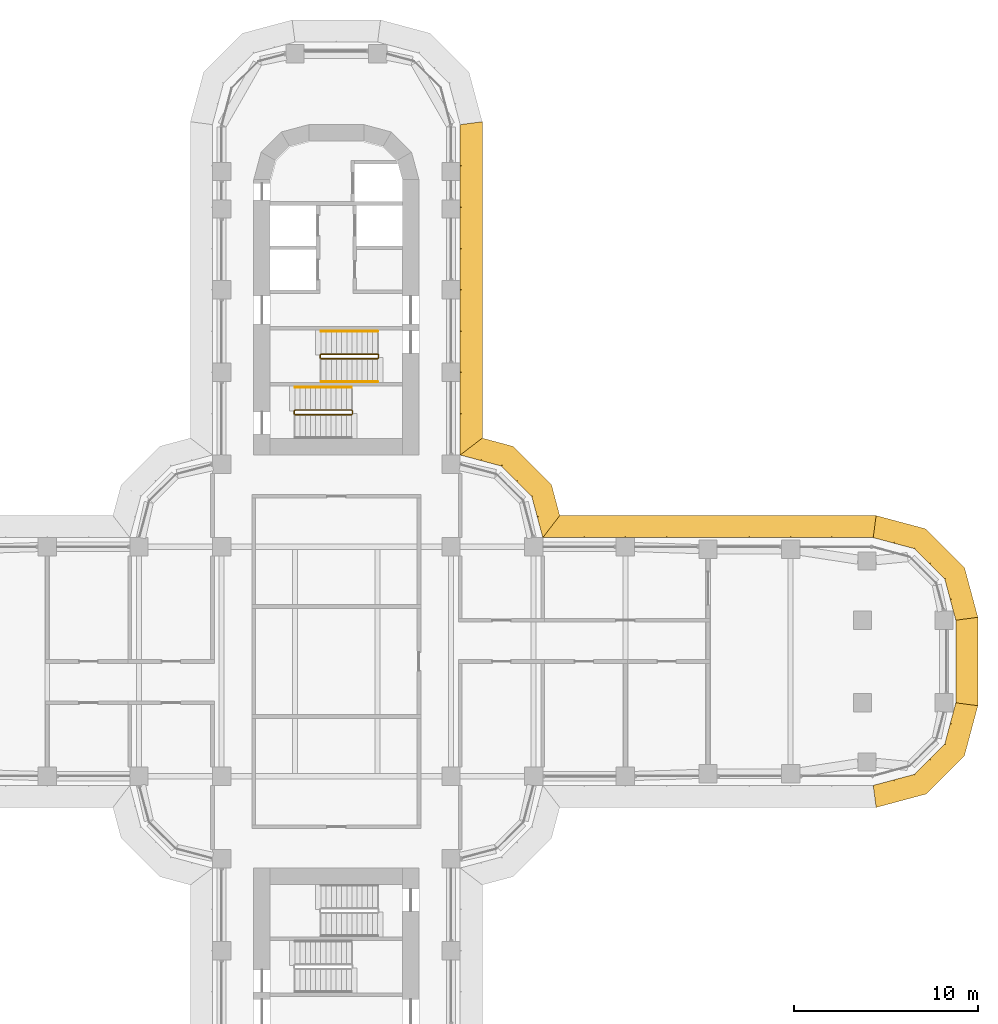
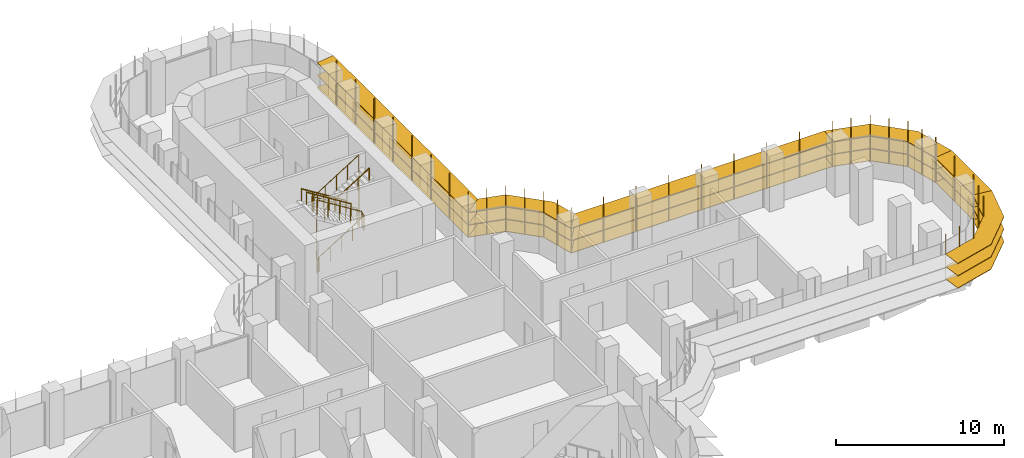
# One storey, part 22 of 23: 6 shading devices, 5 railings.
"""IFC4 building model written with IfcOpenShell, lengths in metres."""

from ifc_helpers import new_model, si_unit, direction, frame, origin, origin_2d, place, context, subcontext, project, spatial, polyline, circle, outline, extrude, faceted_brep, source, transform, mapped, material, type_object, element, save


model = new_model("IFC4")

# Units and contexts
model_context = context("Model", 3, precision=1e-05, world=origin(), true_north=direction((0.0, 1.0)))
body_context = subcontext(model_context, "Body", "Model", "MODEL_VIEW")
ifc_project = project(units=[si_unit("LENGTHUNIT", "METRE"), si_unit("AREAUNIT", "SQUARE_METRE"), si_unit("VOLUMEUNIT", "CUBIC_METRE"), si_unit("PLANEANGLEUNIT", "RADIAN"), si_unit("MASSUNIT", "GRAM", prefix="KILO")], contexts=[model_context])

# Site, building, storey
site_placement = place(None, origin())
site = spatial("IfcSite", under=ifc_project, at=site_placement, CompositionType="ELEMENT")
building_placement = place(site_placement, origin())
building = spatial("IfcBuilding", under=site, at=building_placement, Name="Zarbagh Exchange Tower", CompositionType="ELEMENT")
storey_placement = place(building_placement, frame((0.0, 0.0, 39.60009765625)))
storey = spatial("IfcBuildingStorey", under=building, at=storey_placement, Name="L08", CompositionType="ELEMENT", Elevation=39.60009765625)

# Railings
ifc_material_1 = material(Name="Stainless steel", Category="steel")
railing_type_1 = type_object("IfcRailingType", Name="Stair guard 1100 mm", PredefinedType="GUARDRAIL", material=ifc_material_1)
railing_1_placement = place(storey_placement, frame((-0.830078125, 16.5, 2.27490234375)))
element("IfcRailing", 1, at=railing_1_placement, inside=storey, type_object=railing_type_1, Name="ST1 stair guard 1", PredefinedType="GUARDRAIL", context=body_context, shape_type="SweptSolid", body=[
    extrude(circle(Radius=0.02392578125, at=origin_2d()), frame((0.0, 0.0, 1.076171875), z_axis=(0.847998304005, 0.0, 0.529998940003), x_axis=(0.0, 1.0, 0.0)), (0.0, 0.0, 1.0), 3.632080078125),
    extrude(circle(Radius=0.02392578125, at=origin_2d()), frame((3.080078125, 0.0, 3.0009765625), z_axis=(0.011914834358, 0.011914834358, -0.999858026644), x_axis=(-0.707106781187, 0.707106781187, 0.0)), (0.0, 0.0, 1.0), 4.200439453125),
    extrude(circle(Radius=0.02392578125, at=origin_2d()), frame((3.130126953125, 0.050048828125, -1.19873046875), z_axis=(0.0, 1.0, 0.0), x_axis=(-1.0, 0.0, 0.0)), (0.0, 0.0, 1.0), 0.14990234375),
    extrude(circle(Radius=0.02392578125, at=origin_2d()), frame((3.130126953125, 0.199951171875, -1.19873046875), z_axis=(-0.265383341853, 0.265383341853, 0.926899867156), x_axis=(-0.707106781187, -0.707106781187, 0.0)), (0.0, 0.0, 1.0), 0.1884765625),
    extrude(circle(Radius=0.02392578125, at=origin_2d()), frame((3.080078125, 0.25, -1.02392578125), z_axis=(-0.847998304005, 0.0, 0.529998940003), x_axis=(0.0, -1.0, 0.0)), (0.0, 0.0, 1.0), 3.632080078125),
    extrude(circle(Radius=0.02392578125, at=origin_2d()), frame((0.0, 0.25, 0.90087890625), z_axis=(-0.705375805398, -0.708833529934, 0.0), x_axis=(0.708833529934, -0.705375805398, 0.0)), (0.0, 0.0, 1.0), 0.070556640625),
    extrude(circle(Radius=0.02392578125, at=origin_2d()), frame((-0.0498046875, 0.199951171875, 0.90087890625), z_axis=(0.0, -1.0, 0.0), x_axis=(1.0, 0.0, 0.0)), (0.0, 0.0, 1.0), 0.14990234375),
    extrude(circle(Radius=0.02099609375, at=origin_2d()), origin(), (0.0, 0.0, 1.0), 1.052001953125),
    extrude(circle(Radius=0.02099609375, at=origin_2d()), frame((0.77001953125, 0.0, 0.481201171875)), (0.0, 0.0, 1.0), 1.052001953125),
    extrude(circle(Radius=0.02099609375, at=origin_2d()), frame((1.5400390625, 0.0, 0.96240234375)), (0.0, 0.0, 1.0), 1.052001953125),
    extrude(circle(Radius=0.02099609375, at=origin_2d()), frame((2.31005859375, 0.0, 1.44384765625)), (0.0, 0.0, 1.0), 1.052001953125),
    extrude(circle(Radius=0.02099609375, at=origin_2d()), frame((3.080078125, 0.0, 1.925048828125)), (0.0, 0.0, 1.0), 1.052001953125),
    extrude(circle(Radius=0.02099609375, at=origin_2d()), frame((3.092529296875, 0.012451171875, 0.875)), (0.0, 0.0, 1.0), 1.052001953125),
    extrude(circle(Radius=0.02099609375, at=origin_2d()), frame((3.10498046875, 0.02490234375, -0.1748046875)), (0.0, 0.0, 1.0), 1.052001953125),
    extrude(circle(Radius=0.02099609375, at=origin_2d()), frame((3.11767578125, 0.03759765625, -1.224853515625)), (0.0, 0.0, 1.0), 1.052001953125),
    extrude(circle(Radius=0.02099609375, at=origin_2d()), frame((3.130126953125, 0.050048828125, -2.27490234375)), (0.0, 0.0, 1.0), 1.052001953125),
    extrude(circle(Radius=0.02099609375, at=origin_2d()), frame((3.130126953125, 0.199951171875, -2.27490234375)), (0.0, 0.0, 1.0), 1.052001953125),
    extrude(circle(Radius=0.02099609375, at=origin_2d()), frame((3.080078125, 0.25, -2.10009765625)), (0.0, 0.0, 1.0), 1.052001953125),
    extrude(circle(Radius=0.02099609375, at=origin_2d()), frame((2.31005859375, 0.25, -1.618896484375)), (0.0, 0.0, 1.0), 1.052001953125),
    extrude(circle(Radius=0.02099609375, at=origin_2d()), frame((1.5400390625, 0.25, -1.1376953125)), (0.0, 0.0, 1.0), 1.052001953125),
    extrude(circle(Radius=0.02099609375, at=origin_2d()), frame((0.77001953125, 0.25, -0.65625)), (0.0, 0.0, 1.0), 1.052001953125),
    extrude(circle(Radius=0.02099609375, at=origin_2d()), frame((0.0, 0.25, -0.175048828125)), (0.0, 0.0, 1.0), 1.052001953125),
    extrude(circle(Radius=0.02099609375, at=origin_2d()), frame((-0.0498046875, 0.199951171875, -0.175048828125)), (0.0, 0.0, 1.0), 1.052001953125),
    extrude(circle(Radius=0.02099609375, at=origin_2d()), frame((-0.0498046875, 0.050048828125, -0.175048828125)), (0.0, 0.0, 1.0), 1.052001953125),
])
railing_2_placement = place(storey_placement, frame((0.8798828125, 13.5, 2.099853515625)))
element("IfcRailing", 2, at=railing_2_placement, inside=storey, type_object=railing_type_1, Name="ST2 stair guard 1", PredefinedType="GUARDRAIL", context=body_context, shape_type="SweptSolid", body=[
    extrude(circle(Radius=0.02392578125, at=origin_2d()), frame((0.0, 0.0, 1.076171875), z_axis=(0.0, 1.0, 0.0), x_axis=(-1.0, 0.0, 0.0)), (0.0, 0.0, 1.0), 0.14990234375),
    extrude(circle(Radius=0.02392578125, at=origin_2d()), frame((0.0, 0.14990234375, 1.076171875), z_axis=(-0.263862480399, 0.265155923931, 0.927399011991), x_axis=(-0.708833529934, -0.705375805398, 0.0)), (0.0, 0.0, 1.0), 0.188720703125),
    extrude(circle(Radius=0.02392578125, at=origin_2d()), frame((-0.0498046875, 0.199951171875, 1.2509765625), z_axis=(-0.847998304005, 0.0, 0.529998940003), x_axis=(0.0, -1.0, 0.0)), (0.0, 0.0, 1.0), 3.632080078125),
    extrude(circle(Radius=0.02392578125, at=origin_2d()), frame((-3.1298828125, 0.199951171875, 3.17626953125), z_axis=(-0.011914834358, -0.011914834358, -0.999858026644), x_axis=(0.707106781187, -0.707106781187, 0.0)), (0.0, 0.0, 1.0), 4.200439453125),
    extrude(circle(Radius=0.02392578125, at=origin_2d()), frame((-3.179931640625, 0.14990234375, -1.02392578125), z_axis=(0.0, -1.0, 0.0), x_axis=(1.0, 0.0, 0.0)), (0.0, 0.0, 1.0), 0.14990234375),
    extrude(circle(Radius=0.02392578125, at=origin_2d()), frame((-3.179931640625, 0.0, -1.02392578125), z_axis=(0.265383341853, -0.265383341853, 0.926899867156), x_axis=(0.707106781187, 0.707106781187, 0.0)), (0.0, 0.0, 1.0), 0.1884765625),
    extrude(circle(Radius=0.02392578125, at=origin_2d()), frame((-3.1298828125, -0.050048828125, -0.84912109375), z_axis=(0.847998304005, 0.0, 0.529998940003), x_axis=(0.0, 1.0, 0.0)), (0.0, 0.0, 1.0), 3.632080078125),
    extrude(circle(Radius=0.02099609375, at=origin_2d()), origin(), (0.0, 0.0, 1.0), 1.052001953125),
    extrude(circle(Radius=0.02099609375, at=origin_2d()), frame((0.0, 0.14990234375, 0.0)), (0.0, 0.0, 1.0), 1.052001953125),
    extrude(circle(Radius=0.02099609375, at=origin_2d()), frame((-0.0498046875, 0.199951171875, 0.175048828125)), (0.0, 0.0, 1.0), 1.052001953125),
    extrude(circle(Radius=0.02099609375, at=origin_2d()), frame((-0.81982421875, 0.199951171875, 0.65625)), (0.0, 0.0, 1.0), 1.052001953125),
    extrude(circle(Radius=0.02099609375, at=origin_2d()), frame((-1.58984375, 0.199951171875, 1.1376953125)), (0.0, 0.0, 1.0), 1.052001953125),
    extrude(circle(Radius=0.02099609375, at=origin_2d()), frame((-2.35986328125, 0.199951171875, 1.618896484375)), (0.0, 0.0, 1.0), 1.052001953125),
    extrude(circle(Radius=0.02099609375, at=origin_2d()), frame((-3.1298828125, 0.199951171875, 2.10009765625)), (0.0, 0.0, 1.0), 1.052001953125),
    extrude(circle(Radius=0.02099609375, at=origin_2d()), frame((-3.142333984375, 0.1875, 1.050048828125)), (0.0, 0.0, 1.0), 1.052001953125),
    extrude(circle(Radius=0.02099609375, at=origin_2d()), frame((-3.15478515625, 0.1748046875, 0.0)), (0.0, 0.0, 1.0), 1.052001953125),
    extrude(circle(Radius=0.02099609375, at=origin_2d()), frame((-3.16748046875, 0.162353515625, -1.0498046875)), (0.0, 0.0, 1.0), 1.052001953125),
    extrude(circle(Radius=0.02099609375, at=origin_2d()), frame((-3.179931640625, 0.14990234375, -2.099853515625)), (0.0, 0.0, 1.0), 1.052001953125),
    extrude(circle(Radius=0.02099609375, at=origin_2d()), frame((-3.179931640625, 0.0, -2.099853515625)), (0.0, 0.0, 1.0), 1.052001953125),
    extrude(circle(Radius=0.02099609375, at=origin_2d()), frame((-3.1298828125, -0.050048828125, -1.925048828125)), (0.0, 0.0, 1.0), 1.052001953125),
    extrude(circle(Radius=0.02099609375, at=origin_2d()), frame((-2.35986328125, -0.050048828125, -1.44384765625)), (0.0, 0.0, 1.0), 1.052001953125),
    extrude(circle(Radius=0.02099609375, at=origin_2d()), frame((-1.58984375, -0.050048828125, -0.96240234375)), (0.0, 0.0, 1.0), 1.052001953125),
    extrude(circle(Radius=0.02099609375, at=origin_2d()), frame((-0.81982421875, -0.050048828125, -0.481201171875)), (0.0, 0.0, 1.0), 1.052001953125),
    extrude(circle(Radius=0.02099609375, at=origin_2d()), frame((-0.0498046875, -0.050048828125, 0.0)), (0.0, 0.0, 1.0), 1.052001953125),
])
railing_type_2 = type_object("IfcRailingType", Name="Stair handrail 900 mm", PredefinedType="HANDRAIL", material=ifc_material_1)
railing_3_placement = place(storey_placement, frame((2.25, 18.0, 0.1748046875)))
element("IfcRailing", 3, at=railing_3_placement, inside=storey, type_object=railing_type_2, Name="ST1 stair handrail 1", PredefinedType="HANDRAIL", context=body_context, shape_type="SweptSolid", body=[
    extrude(circle(Radius=0.02392578125, at=origin_2d()), frame((0.0, 0.0, 0.8759765625), z_axis=(-0.847998304005, 0.0, 0.529998940003), x_axis=(0.0, -1.0, 0.0)), (0.0, 0.0, 1.0), 3.632080078125),
    extrude(circle(Radius=0.02099609375, at=origin_2d()), origin(), (0.0, 0.0, 1.0), 0.851806640625),
    extrude(circle(Radius=0.02099609375, at=origin_2d()), frame((-0.77001953125, 0.0, 0.481201171875)), (0.0, 0.0, 1.0), 0.851806640625),
    extrude(circle(Radius=0.02099609375, at=origin_2d()), frame((-1.5400390625, 0.0, 0.96240234375)), (0.0, 0.0, 1.0), 0.851806640625),
    extrude(circle(Radius=0.02099609375, at=origin_2d()), frame((-2.31005859375, 0.0, 1.44384765625)), (0.0, 0.0, 1.0), 0.851806640625),
    extrude(circle(Radius=0.02099609375, at=origin_2d()), frame((-3.080078125, 0.0, 1.925048828125)), (0.0, 0.0, 1.0), 0.851806640625),
])
railing_4_placement = place(storey_placement, frame((-0.830078125, 15.25, 2.27490234375)))
element("IfcRailing", 4, at=railing_4_placement, inside=storey, type_object=railing_type_2, Name="ST1 stair handrail 2", PredefinedType="HANDRAIL", context=body_context, shape_type="SweptSolid", body=[
    extrude(circle(Radius=0.02392578125, at=origin_2d()), frame((0.0, 0.0, 0.8759765625), z_axis=(0.847998304005, 0.0, 0.529998940003), x_axis=(0.0, 1.0, 0.0)), (0.0, 0.0, 1.0), 3.632080078125),
    extrude(circle(Radius=0.02099609375, at=origin_2d()), origin(), (0.0, 0.0, 1.0), 0.851806640625),
    extrude(circle(Radius=0.02099609375, at=origin_2d()), frame((0.77001953125, 0.0, 0.481201171875)), (0.0, 0.0, 1.0), 0.851806640625),
    extrude(circle(Radius=0.02099609375, at=origin_2d()), frame((1.5400390625, 0.0, 0.96240234375)), (0.0, 0.0, 1.0), 0.851806640625),
    extrude(circle(Radius=0.02099609375, at=origin_2d()), frame((2.31005859375, 0.0, 1.44384765625)), (0.0, 0.0, 1.0), 0.851806640625),
    extrude(circle(Radius=0.02099609375, at=origin_2d()), frame((3.080078125, 0.0, 1.925048828125)), (0.0, 0.0, 1.0), 0.851806640625),
])
railing_5_placement = place(storey_placement, frame((0.830078125, 14.949951171875, 2.27490234375)))
element("IfcRailing", 5, at=railing_5_placement, inside=storey, type_object=railing_type_2, Name="ST2 stair handrail 2", PredefinedType="HANDRAIL", context=body_context, shape_type="SweptSolid", body=[
    extrude(circle(Radius=0.02392578125, at=origin_2d()), frame((0.0, 0.0, 0.8759765625), z_axis=(-0.847998304005, 0.0, 0.529998940003), x_axis=(0.0, -1.0, 0.0)), (0.0, 0.0, 1.0), 3.632080078125),
    extrude(circle(Radius=0.02099609375, at=origin_2d()), origin(), (0.0, 0.0, 1.0), 0.851806640625),
    extrude(circle(Radius=0.02099609375, at=origin_2d()), frame((-0.77001953125, 0.0, 0.481201171875)), (0.0, 0.0, 1.0), 0.851806640625),
    extrude(circle(Radius=0.02099609375, at=origin_2d()), frame((-1.5400390625, 0.0, 0.96240234375)), (0.0, 0.0, 1.0), 0.851806640625),
    extrude(circle(Radius=0.02099609375, at=origin_2d()), frame((-2.31005859375, 0.0, 1.44384765625)), (0.0, 0.0, 1.0), 0.851806640625),
    extrude(circle(Radius=0.02099609375, at=origin_2d()), frame((-3.080078125, 0.0, 1.925048828125)), (0.0, 0.0, 1.0), 0.851806640625),
])

# Shading devices
ifc_material_2 = material(Name="Anodised aluminium blades and brackets", Category="aluminium")
shading_device_type = type_object("IfcShadingDeviceType", Name="SUNSHADE louvre band, 0 degree blades", PredefinedType="JALOUSIE", material=ifc_material_2)
shared_shape_1 = source(origin(), body_context, "Body", "Brep", [
    faceted_brep([(0.0, 0.0, 0.0), (0.0, 0.0, -0.0400390625), (-0.157958984375, -1.199951171875, -0.0400390625), (-0.157958984375, -1.199951171875, 0.0), (2.65087890625, -1.199951171875, 0.0), (2.65087890625, -1.199951171875, -0.0400390625), (2.329345703125, 0.0, -0.0400390625), (2.329345703125, 0.0, 0.0)], [[[0, 1, 2, 3]], [[4, 5, 6, 7]], [[0, 7, 6, 1]], [[1, 6, 5, 2]], [[2, 5, 4, 3]], [[3, 4, 7, 0]]]),
])
shared_shape_2 = source(origin(), body_context, "Body", "Brep", [
    faceted_brep([(0.0, 0.0, 0.0), (0.0, 0.0, -0.0400390625), (-0.321533203125, -1.199951171875, -0.0400390625), (-0.321533203125, -1.199951171875, 0.0), (2.65087890625, -1.199951171875, 0.0), (2.65087890625, -1.199951171875, -0.0400390625), (2.329345703125, 0.0, -0.0400390625), (2.329345703125, 0.0, 0.0)], [[[0, 1, 2, 3]], [[4, 5, 6, 7]], [[0, 7, 6, 1]], [[1, 6, 5, 2]], [[2, 5, 4, 3]], [[3, 4, 7, 0]]]),
])
shared_shape_3 = source(origin(), body_context, "Body", "Brep", [
    faceted_brep([(0.0, 0.0, 0.0), (0.0, 0.0, -0.0400390625), (-0.321533203125, -1.199951171875, -0.0400390625), (-0.321533203125, -1.199951171875, 0.0), (2.4873046875, -1.199951171875, 0.0), (2.4873046875, -1.199951171875, -0.0400390625), (2.329345703125, 0.0, -0.0400390625), (2.329345703125, 0.0, 0.0)], [[[0, 1, 2, 3]], [[4, 5, 6, 7]], [[0, 7, 6, 1]], [[1, 6, 5, 2]], [[2, 5, 4, 3]], [[3, 4, 7, 0]]]),
])
shared_shape_4 = source(origin(), body_context, "Body", "SweptSolid", [
    extrude(outline(polyline([(0.0, -0.012451171875), (0.06005859375, -0.012451171875), (0.06005859375, 0.012451171875), (0.0, 0.012451171875), (0.0, -0.012451171875)])), origin(), (0.0, 0.0, 1.0), 3.35009765625),
])
placement = place(storey_placement, origin())
element("IfcShadingDevice", 6, at=placement, inside=storey, type_object=shading_device_type, Name="SS05 sunshade band", PredefinedType="JALOUSIE", context=body_context, shape_type="MappedRepresentation", body=[
    mapped(shared_shape_1, transform((29.25, -6.75, 2.699951171875), x_axis=(0.965924289636, 0.258824779902, 0.0), y_axis=(-0.258824779902, 0.965924289636, 0.0), z_axis=(0.0, 0.0, 1.0))),
    mapped(shared_shape_1, transform((29.25, -6.75, 1.7998046875), x_axis=(0.965924289636, 0.258824779902, 0.0), y_axis=(-0.258824779902, 0.965924289636, 0.0), z_axis=(0.0, 0.0, 1.0))),
    mapped(shared_shape_1, transform((29.25, -6.75, 0.89990234375), x_axis=(0.965924289636, 0.258824779902, 0.0), y_axis=(-0.258824779902, 0.965924289636, 0.0), z_axis=(0.0, 0.0, 1.0))),
    mapped(shared_shape_2, transform((31.5, -6.147216796875, 2.699951171875), x_axis=(0.707106781187, 0.707106781187, 0.0), y_axis=(-0.707106781187, 0.707106781187, 0.0), z_axis=(0.0, 0.0, 1.0))),
    mapped(shared_shape_2, transform((31.5, -6.147216796875, 1.7998046875), x_axis=(0.707106781187, 0.707106781187, 0.0), y_axis=(-0.707106781187, 0.707106781187, 0.0), z_axis=(0.0, 0.0, 1.0))),
    mapped(shared_shape_2, transform((31.5, -6.147216796875, 0.89990234375), x_axis=(0.707106781187, 0.707106781187, 0.0), y_axis=(-0.707106781187, 0.707106781187, 0.0), z_axis=(0.0, 0.0, 1.0))),
    mapped(shared_shape_3, transform((33.147216796875, -4.5, 2.699951171875), x_axis=(0.258824779902, 0.965924289636, 0.0), y_axis=(-0.965924289636, 0.258824779902, 0.0), z_axis=(0.0, 0.0, 1.0))),
    mapped(shared_shape_3, transform((33.147216796875, -4.5, 1.7998046875), x_axis=(0.258824779902, 0.965924289636, 0.0), y_axis=(-0.965924289636, 0.258824779902, 0.0), z_axis=(0.0, 0.0, 1.0))),
    mapped(shared_shape_3, transform((33.147216796875, -4.5, 0.89990234375), x_axis=(0.258824779902, 0.965924289636, 0.0), y_axis=(-0.965924289636, 0.258824779902, 0.0), z_axis=(0.0, 0.0, 1.0))),
    mapped(shared_shape_4, transform((29.25, -6.75, 0.829833984375), x_axis=(0.130529263012, -0.991444457092, 0.0), y_axis=(0.991444457092, 0.130529263012, 0.0), z_axis=(0.0, 0.0, 1.0))),
    mapped(shared_shape_4, transform((30.375, -6.448486328125, 0.829833984375), x_axis=(0.258825058029, -0.96592421511, 0.0), y_axis=(0.96592421511, 0.258825058029, 0.0), z_axis=(0.0, 0.0, 1.0))),
    mapped(shared_shape_4, transform((31.5, -6.147216796875, 0.829833984375), x_axis=(0.50000275701, -0.866023812018, 0.0), y_axis=(0.866023812018, 0.50000275701, 0.0), z_axis=(0.0, 0.0, 1.0))),
    mapped(shared_shape_4, transform((32.323486328125, -5.323486328125, 0.829833984375), x_axis=(0.707106781187, -0.707106781187, 0.0), y_axis=(0.707106781187, 0.707106781187, 0.0), z_axis=(0.0, 0.0, 1.0))),
    mapped(shared_shape_4, transform((33.147216796875, -4.5, 0.829833984375), x_axis=(0.866023812018, -0.50000275701, 0.0), y_axis=(0.50000275701, 0.866023812018, 0.0), z_axis=(0.0, 0.0, 1.0))),
    mapped(shared_shape_4, transform((33.448486328125, -3.375, 0.829833984375), x_axis=(0.96592421511, -0.258825058029, 0.0), y_axis=(0.258825058029, 0.96592421511, 0.0), z_axis=(0.0, 0.0, 1.0))),
])
element("IfcShadingDevice", 7, at=placement, inside=storey, type_object=shading_device_type, Name="SS07 sunshade band", PredefinedType="JALOUSIE", context=body_context, shape_type="MappedRepresentation", body=[
    mapped(shared_shape_1, transform((33.75, 2.25, 2.699951171875), x_axis=(-0.258824779902, 0.965924289636, 0.0), y_axis=(-0.965924289636, -0.258824779902, 0.0), z_axis=(0.0, 0.0, 1.0))),
    mapped(shared_shape_1, transform((33.75, 2.25, 1.7998046875), x_axis=(-0.258824779902, 0.965924289636, 0.0), y_axis=(-0.965924289636, -0.258824779902, 0.0), z_axis=(0.0, 0.0, 1.0))),
    mapped(shared_shape_1, transform((33.75, 2.25, 0.89990234375), x_axis=(-0.258824779902, 0.965924289636, 0.0), y_axis=(-0.965924289636, -0.258824779902, 0.0), z_axis=(0.0, 0.0, 1.0))),
    mapped(shared_shape_2, transform((33.147216796875, 4.5, 2.699951171875), x_axis=(-0.707106781187, 0.707106781187, 0.0), y_axis=(-0.707106781187, -0.707106781187, 0.0), z_axis=(0.0, 0.0, 1.0))),
    mapped(shared_shape_2, transform((33.147216796875, 4.5, 1.7998046875), x_axis=(-0.707106781187, 0.707106781187, 0.0), y_axis=(-0.707106781187, -0.707106781187, 0.0), z_axis=(0.0, 0.0, 1.0))),
    mapped(shared_shape_2, transform((33.147216796875, 4.5, 0.89990234375), x_axis=(-0.707106781187, 0.707106781187, 0.0), y_axis=(-0.707106781187, -0.707106781187, 0.0), z_axis=(0.0, 0.0, 1.0))),
    mapped(shared_shape_3, transform((31.5, 6.147216796875, 2.699951171875), x_axis=(-0.965924289636, 0.258824779902, 0.0), y_axis=(-0.258824779902, -0.965924289636, 0.0), z_axis=(0.0, 0.0, 1.0))),
    mapped(shared_shape_3, transform((31.5, 6.147216796875, 1.7998046875), x_axis=(-0.965924289636, 0.258824779902, 0.0), y_axis=(-0.258824779902, -0.965924289636, 0.0), z_axis=(0.0, 0.0, 1.0))),
    mapped(shared_shape_3, transform((31.5, 6.147216796875, 0.89990234375), x_axis=(-0.965924289636, 0.258824779902, 0.0), y_axis=(-0.258824779902, -0.965924289636, 0.0), z_axis=(0.0, 0.0, 1.0))),
    mapped(shared_shape_4, transform((33.75, 2.25, 0.829833984375), x_axis=(0.991444457092, 0.130529263012, 0.0), y_axis=(-0.130529263012, 0.991444457092, 0.0), z_axis=(0.0, 0.0, 1.0))),
    mapped(shared_shape_4, transform((33.448486328125, 3.375, 0.829833984375), x_axis=(0.96592421511, 0.258825058029, 0.0), y_axis=(-0.258825058029, 0.96592421511, 0.0), z_axis=(0.0, 0.0, 1.0))),
    mapped(shared_shape_4, transform((33.147216796875, 4.5, 0.829833984375), x_axis=(0.866023812018, 0.50000275701, 0.0), y_axis=(-0.50000275701, 0.866023812018, 0.0), z_axis=(0.0, 0.0, 1.0))),
    mapped(shared_shape_4, transform((32.323486328125, 5.323486328125, 0.829833984375), x_axis=(0.707106781187, 0.707106781187, 0.0), y_axis=(-0.707106781187, 0.707106781187, 0.0), z_axis=(0.0, 0.0, 1.0))),
    mapped(shared_shape_4, transform((31.5, 6.147216796875, 0.829833984375), x_axis=(0.50000275701, 0.866023812018, 0.0), y_axis=(-0.866023812018, 0.50000275701, 0.0), z_axis=(0.0, 0.0, 1.0))),
    mapped(shared_shape_4, transform((30.375, 6.448486328125, 0.829833984375), x_axis=(0.258825058029, 0.96592421511, 0.0), y_axis=(-0.96592421511, 0.258825058029, 0.0), z_axis=(0.0, 0.0, 1.0))),
])
shared_shape_5 = source(origin(), body_context, "Body", "Brep", [
    faceted_brep([(0.0, 0.0, 0.0), (0.0, 0.0, -0.0400390625), (0.9208984375, -1.199951171875, -0.0400390625), (0.9208984375, -1.199951171875, 0.0), (2.65087890625, -1.199951171875, 0.0), (2.65087890625, -1.199951171875, -0.0400390625), (2.329345703125, 0.0, -0.0400390625), (2.329345703125, 0.0, 0.0)], [[[0, 1, 2, 3]], [[4, 5, 6, 7]], [[0, 7, 6, 1]], [[1, 6, 5, 2]], [[2, 5, 4, 3]], [[3, 4, 7, 0]]]),
])
shared_shape_6 = source(origin(), body_context, "Body", "Brep", [
    faceted_brep([(0.0, 0.0, 0.0), (0.0, 0.0, -0.0400390625), (-0.321533203125, -1.199951171875, -0.0400390625), (-0.321533203125, -1.199951171875, 0.0), (1.40869140625, -1.199951171875, 0.0), (1.40869140625, -1.199951171875, -0.0400390625), (2.329345703125, 0.0, -0.0400390625), (2.329345703125, 0.0, 0.0)], [[[0, 1, 2, 3]], [[4, 5, 6, 7]], [[0, 7, 6, 1]], [[1, 6, 5, 2]], [[2, 5, 4, 3]], [[3, 4, 7, 0]]]),
])
element("IfcShadingDevice", 8, at=placement, inside=storey, type_object=shading_device_type, Name="SS09 sunshade band", PredefinedType="JALOUSIE", context=body_context, shape_type="MappedRepresentation", body=[
    mapped(shared_shape_5, transform((11.25, 6.75, 2.699951171875), x_axis=(-0.258824779902, 0.965924289636, 0.0), y_axis=(-0.965924289636, -0.258824779902, 0.0), z_axis=(0.0, 0.0, 1.0))),
    mapped(shared_shape_5, transform((11.25, 6.75, 1.7998046875), x_axis=(-0.258824779902, 0.965924289636, 0.0), y_axis=(-0.965924289636, -0.258824779902, 0.0), z_axis=(0.0, 0.0, 1.0))),
    mapped(shared_shape_5, transform((11.25, 6.75, 0.89990234375), x_axis=(-0.258824779902, 0.965924289636, 0.0), y_axis=(-0.965924289636, -0.258824779902, 0.0), z_axis=(0.0, 0.0, 1.0))),
    mapped(shared_shape_2, transform((10.647216796875, 9.0, 2.699951171875), x_axis=(-0.707106781187, 0.707106781187, 0.0), y_axis=(-0.707106781187, -0.707106781187, 0.0), z_axis=(0.0, 0.0, 1.0))),
    mapped(shared_shape_2, transform((10.647216796875, 9.0, 1.7998046875), x_axis=(-0.707106781187, 0.707106781187, 0.0), y_axis=(-0.707106781187, -0.707106781187, 0.0), z_axis=(0.0, 0.0, 1.0))),
    mapped(shared_shape_2, transform((10.647216796875, 9.0, 0.89990234375), x_axis=(-0.707106781187, 0.707106781187, 0.0), y_axis=(-0.707106781187, -0.707106781187, 0.0), z_axis=(0.0, 0.0, 1.0))),
    mapped(shared_shape_6, transform((9.0, 10.647216796875, 2.699951171875), x_axis=(-0.965924289636, 0.258824779902, 0.0), y_axis=(-0.258824779902, -0.965924289636, 0.0), z_axis=(0.0, 0.0, 1.0))),
    mapped(shared_shape_6, transform((9.0, 10.647216796875, 1.7998046875), x_axis=(-0.965924289636, 0.258824779902, 0.0), y_axis=(-0.258824779902, -0.965924289636, 0.0), z_axis=(0.0, 0.0, 1.0))),
    mapped(shared_shape_6, transform((9.0, 10.647216796875, 0.89990234375), x_axis=(-0.965924289636, 0.258824779902, 0.0), y_axis=(-0.258824779902, -0.965924289636, 0.0), z_axis=(0.0, 0.0, 1.0))),
    mapped(shared_shape_4, transform((11.25, 6.75, 0.829833984375), x_axis=(0.608758892, 0.793355287, 0.0), y_axis=(-0.793355287, 0.608758892, 0.0), z_axis=(0.0, 0.0, 1.0))),
    mapped(shared_shape_4, transform((10.948486328125, 7.875, 0.829833984375), x_axis=(0.96592421511, 0.258825058029, 0.0), y_axis=(-0.258825058029, 0.96592421511, 0.0), z_axis=(0.0, 0.0, 1.0))),
    mapped(shared_shape_4, transform((10.647216796875, 9.0, 0.829833984375), x_axis=(0.866023812018, 0.50000275701, 0.0), y_axis=(-0.50000275701, 0.866023812018, 0.0), z_axis=(0.0, 0.0, 1.0))),
    mapped(shared_shape_4, transform((9.823486328125, 9.823486328125, 0.829833984375), x_axis=(0.707106781187, 0.707106781187, 0.0), y_axis=(-0.707106781187, 0.707106781187, 0.0), z_axis=(0.0, 0.0, 1.0))),
    mapped(shared_shape_4, transform((9.0, 10.647216796875, 0.829833984375), x_axis=(0.50000275701, 0.866023812018, 0.0), y_axis=(-0.866023812018, 0.50000275701, 0.0), z_axis=(0.0, 0.0, 1.0))),
    mapped(shared_shape_4, transform((7.875, 10.948486328125, 0.829833984375), x_axis=(0.258825058029, 0.96592421511, 0.0), y_axis=(-0.96592421511, 0.258825058029, 0.0), z_axis=(0.0, 0.0, 1.0))),
])
shared_shape_7 = source(origin(), body_context, "Body", "Brep", [
    faceted_brep([(0.0, 0.0, 0.0), (0.0, 0.0, -0.0400390625), (-0.157958984375, -1.199951171875, -0.0400390625), (-0.157958984375, -1.199951171875, 0.0), (4.657958984375, -1.199951171875, 0.0), (4.657958984375, -1.199951171875, -0.0400390625), (4.5, 0.0, -0.0400390625), (4.5, 0.0, 0.0)], [[[0, 1, 2, 3]], [[4, 5, 6, 7]], [[0, 7, 6, 1]], [[1, 6, 5, 2]], [[2, 5, 4, 3]], [[3, 4, 7, 0]]]),
])
element("IfcShadingDevice", 9, at=placement, inside=storey, type_object=shading_device_type, Name="SS06 sunshade band", PredefinedType="JALOUSIE", context=body_context, shape_type="MappedRepresentation", body=[
    mapped(shared_shape_7, transform((33.75, -2.25, 2.699951171875), x_axis=(0.0, 1.0, 0.0), y_axis=(-1.0, 0.0, 0.0), z_axis=(0.0, 0.0, 1.0))),
    mapped(shared_shape_7, transform((33.75, -2.25, 1.7998046875), x_axis=(0.0, 1.0, 0.0), y_axis=(-1.0, 0.0, 0.0), z_axis=(0.0, 0.0, 1.0))),
    mapped(shared_shape_7, transform((33.75, -2.25, 0.89990234375), x_axis=(0.0, 1.0, 0.0), y_axis=(-1.0, 0.0, 0.0), z_axis=(0.0, 0.0, 1.0))),
    mapped(shared_shape_4, transform((33.75, -2.25, 0.829833984375), x_axis=(0.991444457092, -0.130529263012, 0.0), y_axis=(0.130529263012, 0.991444457092, 0.0), z_axis=(0.0, 0.0, 1.0))),
    mapped(shared_shape_4, transform((33.75, 0.0, 0.829833984375), x_axis=(1.0, 0.0, 0.0), y_axis=(0.0, 1.0, 0.0), z_axis=(0.0, 0.0, 1.0))),
])
shared_shape_8 = source(origin(), body_context, "Body", "Brep", [
    faceted_brep([(0.0, 0.0, 0.0), (0.0, 0.0, -0.0400390625), (-0.157958984375, -1.199951171875, -0.0400390625), (-0.157958984375, -1.199951171875, 0.0), (17.0791015625, -1.199951171875, 0.0), (17.0791015625, -1.199951171875, -0.0400390625), (18.0, 0.0, -0.0400390625), (18.0, 0.0, 0.0)], [[[0, 1, 2, 3]], [[4, 5, 6, 7]], [[0, 7, 6, 1]], [[1, 6, 5, 2]], [[2, 5, 4, 3]], [[3, 4, 7, 0]]]),
])
element("IfcShadingDevice", 10, at=placement, inside=storey, type_object=shading_device_type, Name="SS08 sunshade band", PredefinedType="JALOUSIE", context=body_context, shape_type="MappedRepresentation", body=[
    mapped(shared_shape_8, transform((29.25, 6.75, 2.699951171875), x_axis=(-1.0, 0.0, 0.0), y_axis=(0.0, -1.0, 0.0), z_axis=(0.0, 0.0, 1.0))),
    mapped(shared_shape_8, transform((29.25, 6.75, 1.7998046875), x_axis=(-1.0, 0.0, 0.0), y_axis=(0.0, -1.0, 0.0), z_axis=(0.0, 0.0, 1.0))),
    mapped(shared_shape_8, transform((29.25, 6.75, 0.89990234375), x_axis=(-1.0, 0.0, 0.0), y_axis=(0.0, -1.0, 0.0), z_axis=(0.0, 0.0, 1.0))),
    mapped(shared_shape_4, transform((29.25, 6.75, 0.829833984375), x_axis=(0.130529263012, 0.991444457092, 0.0), y_axis=(-0.991444457092, 0.130529263012, 0.0), z_axis=(0.0, 0.0, 1.0))),
    mapped(shared_shape_4, transform((27.0, 6.75, 0.829833984375), x_axis=(0.0, 1.0, 0.0), y_axis=(-1.0, 0.0, 0.0), z_axis=(0.0, 0.0, 1.0))),
    mapped(shared_shape_4, transform((24.75, 6.75, 0.829833984375), x_axis=(0.0, 1.0, 0.0), y_axis=(-1.0, 0.0, 0.0), z_axis=(0.0, 0.0, 1.0))),
    mapped(shared_shape_4, transform((22.5, 6.75, 0.829833984375), x_axis=(0.0, 1.0, 0.0), y_axis=(-1.0, 0.0, 0.0), z_axis=(0.0, 0.0, 1.0))),
    mapped(shared_shape_4, transform((20.25, 6.75, 0.829833984375), x_axis=(0.0, 1.0, 0.0), y_axis=(-1.0, 0.0, 0.0), z_axis=(0.0, 0.0, 1.0))),
    mapped(shared_shape_4, transform((18.0, 6.75, 0.829833984375), x_axis=(0.0, 1.0, 0.0), y_axis=(-1.0, 0.0, 0.0), z_axis=(0.0, 0.0, 1.0))),
    mapped(shared_shape_4, transform((15.75, 6.75, 0.829833984375), x_axis=(0.0, 1.0, 0.0), y_axis=(-1.0, 0.0, 0.0), z_axis=(0.0, 0.0, 1.0))),
    mapped(shared_shape_4, transform((13.5, 6.75, 0.829833984375), x_axis=(0.0, 1.0, 0.0), y_axis=(-1.0, 0.0, 0.0), z_axis=(0.0, 0.0, 1.0))),
])
shared_shape_9 = source(origin(), body_context, "Body", "Brep", [
    faceted_brep([(0.0, 0.0, 0.0), (0.0, 0.0, -0.0400390625), (0.9208984375, -1.199951171875, -0.0400390625), (0.9208984375, -1.199951171875, 0.0), (18.157958984375, -1.199951171875, 0.0), (18.157958984375, -1.199951171875, -0.0400390625), (18.0, 0.0, -0.0400390625), (18.0, 0.0, 0.0)], [[[0, 1, 2, 3]], [[4, 5, 6, 7]], [[0, 7, 6, 1]], [[1, 6, 5, 2]], [[2, 5, 4, 3]], [[3, 4, 7, 0]]]),
])
element("IfcShadingDevice", 11, at=placement, inside=storey, type_object=shading_device_type, Name="SS10 sunshade band", PredefinedType="JALOUSIE", context=body_context, shape_type="MappedRepresentation", body=[
    mapped(shared_shape_9, transform((6.75, 11.25, 2.699951171875), x_axis=(0.0, 1.0, 0.0), y_axis=(-1.0, 0.0, 0.0), z_axis=(0.0, 0.0, 1.0))),
    mapped(shared_shape_9, transform((6.75, 11.25, 1.7998046875), x_axis=(0.0, 1.0, 0.0), y_axis=(-1.0, 0.0, 0.0), z_axis=(0.0, 0.0, 1.0))),
    mapped(shared_shape_9, transform((6.75, 11.25, 0.89990234375), x_axis=(0.0, 1.0, 0.0), y_axis=(-1.0, 0.0, 0.0), z_axis=(0.0, 0.0, 1.0))),
    mapped(shared_shape_4, transform((6.75, 11.25, 0.829833984375), x_axis=(0.793355287, 0.608758892, 0.0), y_axis=(-0.608758892, 0.793355287, 0.0), z_axis=(0.0, 0.0, 1.0))),
    mapped(shared_shape_4, transform((6.75, 13.5, 0.829833984375), x_axis=(1.0, 0.0, 0.0), y_axis=(0.0, 1.0, 0.0), z_axis=(0.0, 0.0, 1.0))),
    mapped(shared_shape_4, transform((6.75, 15.75, 0.829833984375), x_axis=(1.0, 0.0, 0.0), y_axis=(0.0, 1.0, 0.0), z_axis=(0.0, 0.0, 1.0))),
    mapped(shared_shape_4, transform((6.75, 18.0, 0.829833984375), x_axis=(1.0, 0.0, 0.0), y_axis=(0.0, 1.0, 0.0), z_axis=(0.0, 0.0, 1.0))),
    mapped(shared_shape_4, transform((6.75, 20.25, 0.829833984375), x_axis=(1.0, 0.0, 0.0), y_axis=(0.0, 1.0, 0.0), z_axis=(0.0, 0.0, 1.0))),
    mapped(shared_shape_4, transform((6.75, 22.5, 0.829833984375), x_axis=(1.0, 0.0, 0.0), y_axis=(0.0, 1.0, 0.0), z_axis=(0.0, 0.0, 1.0))),
    mapped(shared_shape_4, transform((6.75, 24.75, 0.829833984375), x_axis=(1.0, 0.0, 0.0), y_axis=(0.0, 1.0, 0.0), z_axis=(0.0, 0.0, 1.0))),
    mapped(shared_shape_4, transform((6.75, 27.0, 0.829833984375), x_axis=(1.0, 0.0, 0.0), y_axis=(0.0, 1.0, 0.0), z_axis=(0.0, 0.0, 1.0))),
])

save(model, "model.ifc")
